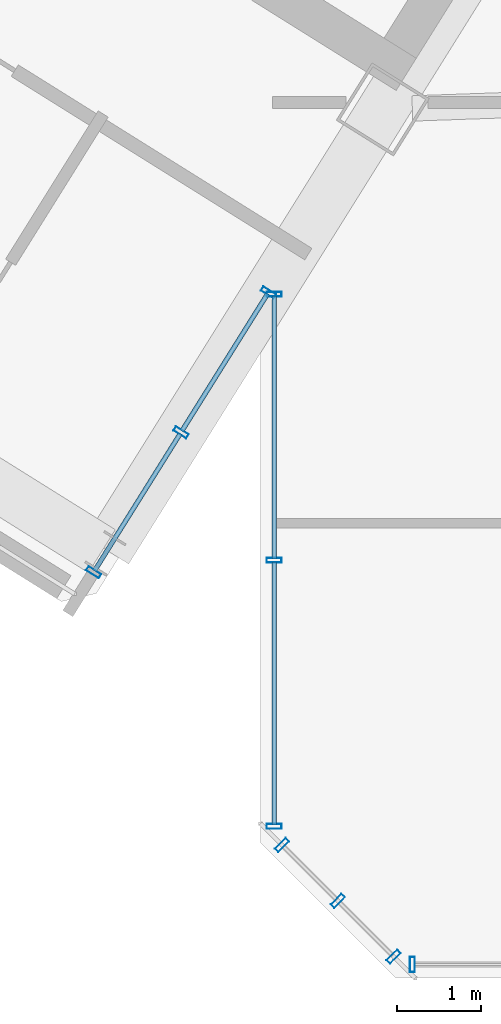
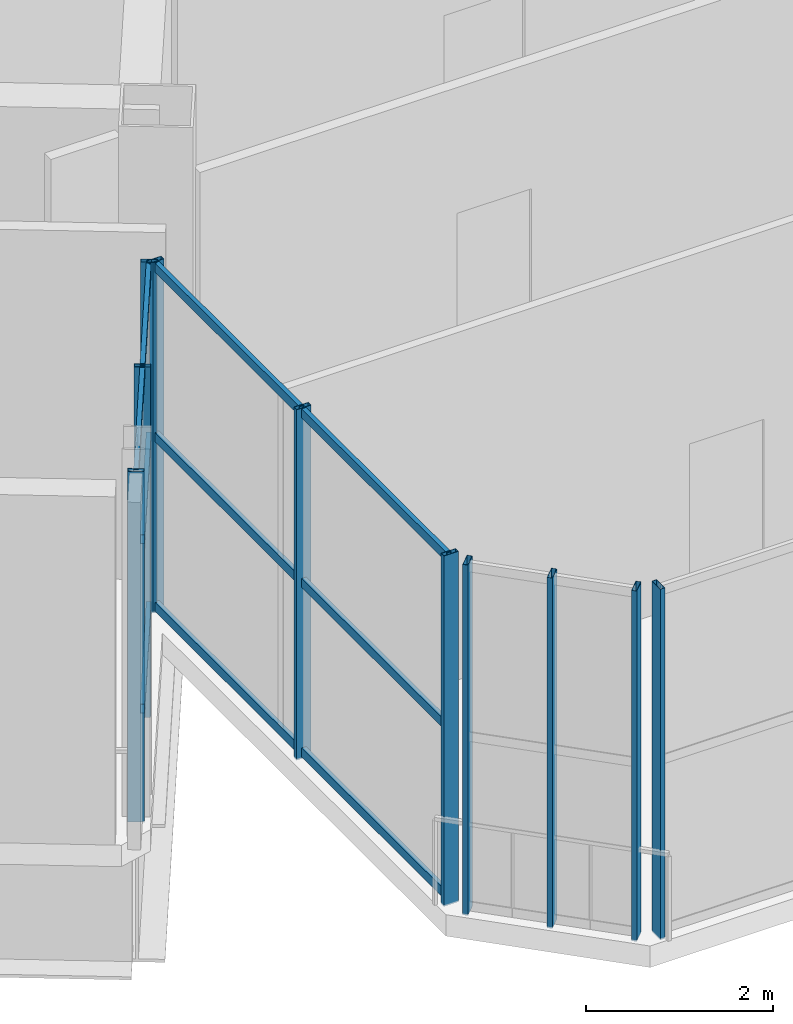
# One storey, part 6 of 26: 22 members, 4 elements without a shape of their own.
"""IFC4 building model written with IfcOpenShell, lengths in metres."""

from ifc_helpers import new_model, si_unit, direction, frame, origin, origin_2d, place, context, subcontext, project, spatial, hollow_rectangle, extrude, source, transform, mapped, material, material_profile, profile_set, type_object, element, aggregate, save


model = new_model("IFC4")

# Units and contexts
model_context = context("Model", 3, precision=1e-05, world=origin(), true_north=direction((0.0, 1.0)))
body_context = subcontext(model_context, "Body", "Model", "MODEL_VIEW")
ifc_project = project(units=[si_unit("LENGTHUNIT", "METRE"), si_unit("AREAUNIT", "SQUARE_METRE"), si_unit("VOLUMEUNIT", "CUBIC_METRE"), si_unit("PLANEANGLEUNIT", "RADIAN"), si_unit("MASSUNIT", "GRAM", prefix="KILO")], contexts=[model_context])

# Site, building, storey
site_placement = place(None, origin())
site = spatial("IfcSite", under=ifc_project, at=site_placement, CompositionType="ELEMENT")
building_placement = place(site_placement, origin())
building = spatial("IfcBuilding", under=site, at=building_placement, Name="Tlacorven Tower", CompositionType="ELEMENT")
storey_placement = place(building_placement, frame((0.0, 0.0, 233.699951171875)))
storey = spatial("IfcBuildingStorey", under=building, at=storey_placement, Name="L59", CompositionType="ELEMENT", Elevation=233.699951171875)

# Curtain wall, member
ifc_material_1 = material(Name="Dark solar low-E double glazing in aluminium frame", Category="aluminium")
curtain_wall_type = type_object("IfcCurtainWallType", Name="CW-TWR-HIGH", PredefinedType="USERDEFINED", material=ifc_material_1)
curtain_wall_1_placement = place(storey_placement, origin())
curtain_wall_1 = element("IfcCurtainWall", 1, at=curtain_wall_1_placement, inside=storey, type_object=curtain_wall_type, Name="L59 CW-TWR-HIGH Curtain Wall 267", ObjectType="UNITISED CURTAIN WALL", PredefinedType="USERDEFINED")
ifc_material_2 = material(Name="Aluminium 6063-T6 anodised", Category="aluminium")
ifc_material_profile_1 = material_profile(ifc_material_2, hollow_rectangle(XDim=0.06005859375, YDim=0.179931640625, WallThickness=0.00390625, at=origin_2d()), Name="ALU MULLION 60X180")
ifc_profile_set_1 = profile_set([ifc_material_profile_1], Name="Aluminium 6063-T6 anodised")
member_type_1 = type_object("IfcMemberType", Name="CWM-03", PredefinedType="MULLION", material=ifc_profile_set_1)
shared_shape_1 = source(origin(), body_context, "Body", "SweptSolid", [
    extrude(hollow_rectangle(XDim=0.06005859375, YDim=0.179931640625, WallThickness=0.00390625, at=origin_2d()), origin(), (0.0, 0.0, 1.0), 4.580078125),
])
member_1_placement = place(storey_placement, frame((33.396240234375, 1.9599609375, -0.02001953125), z_axis=(0.0, 0.0, 1.0), x_axis=(-1.0, 0.0, 0.0)))
member_1 = element("IfcMember", 2, at=member_1_placement, type_object=member_type_1, Name="CW-L59-267 Mullion 4", PredefinedType="MULLION", context=body_context, shape_type="MappedRepresentation", body=[
    mapped(shared_shape_1, transform((0.0, 0.0, 0.0), scale=1.0)),
])
aggregate(curtain_wall_1, [member_1])

# Curtain wall, members
curtain_wall_2_placement = place(storey_placement, origin())
curtain_wall_2 = element("IfcCurtainWall", 3, at=curtain_wall_2_placement, inside=storey, type_object=curtain_wall_type, Name="L59 CW-TWR-HIGH Curtain Wall 268", ObjectType="UNITISED CURTAIN WALL", PredefinedType="USERDEFINED")
member_2_placement = place(storey_placement, frame((33.17431640625, 2.052001953125, -0.02001953125), z_axis=(0.0, 0.0, 1.0), x_axis=(-0.707106781187, 0.707106781187, 0.0)))
member_2 = element("IfcMember", 4, at=member_2_placement, type_object=member_type_1, Name="CW-L59-268 Mullion 1", PredefinedType="MULLION", context=body_context, shape_type="MappedRepresentation", body=[
    mapped(shared_shape_1, transform((0.0, 0.0, 0.0), scale=1.0)),
])
member_3_placement = place(storey_placement, frame((32.51318359375, 2.713134765625, -0.02001953125), z_axis=(0.0, 0.0, 1.0), x_axis=(-0.707106781187, 0.707106781187, 0.0)))
member_3 = element("IfcMember", 5, at=member_3_placement, type_object=member_type_1, Name="CW-L59-268 Mullion 2", PredefinedType="MULLION", context=body_context, shape_type="MappedRepresentation", body=[
    mapped(shared_shape_1, transform((0.0, 0.0, 0.0), scale=1.0)),
])
member_4_placement = place(storey_placement, frame((31.851806640625, 3.374267578125, -0.02001953125), z_axis=(0.0, 0.0, 1.0), x_axis=(-0.707106781187, 0.707106781187, 0.0)))
member_4 = element("IfcMember", 6, at=member_4_placement, type_object=member_type_1, Name="CW-L59-268 Mullion 3", PredefinedType="MULLION", context=body_context, shape_type="MappedRepresentation", body=[
    mapped(shared_shape_1, transform((0.0, 0.0, 0.0), scale=1.0)),
])
aggregate(curtain_wall_2, [member_2, member_3, member_4])

curtain_wall_3_placement = place(storey_placement, origin())
curtain_wall_3 = element("IfcCurtainWall", 7, at=curtain_wall_3_placement, inside=storey, type_object=curtain_wall_type, Name="L59 CW-TWR-HIGH Curtain Wall 269", ObjectType="UNITISED CURTAIN WALL", PredefinedType="USERDEFINED")
member_5_placement = place(storey_placement, frame((31.760009765625, 3.59619140625, -0.02001953125), z_axis=(0.0, 0.0, 1.0), x_axis=(0.0, 1.0, 0.0)))
member_5 = element("IfcMember", 8, at=member_5_placement, type_object=member_type_1, Name="CW-L59-269 Mullion 1", PredefinedType="MULLION", context=body_context, shape_type="MappedRepresentation", body=[
    mapped(shared_shape_1, transform((0.0, 0.0, 0.0), scale=1.0)),
])
member_6_placement = place(storey_placement, frame((31.760009765625, 6.74755859375, -0.02001953125), z_axis=(0.0, 0.0, 1.0), x_axis=(0.0, 1.0, 0.0)))
member_6 = element("IfcMember", 9, at=member_6_placement, type_object=member_type_1, Name="CW-L59-269 Mullion 2", PredefinedType="MULLION", context=body_context, shape_type="MappedRepresentation", body=[
    mapped(shared_shape_1, transform((0.0, 0.0, 0.0), scale=1.0)),
])
member_7_placement = place(storey_placement, frame((31.760009765625, 9.898681640625, -0.02001953125), z_axis=(0.0, 0.0, 1.0), x_axis=(0.0, 1.0, 0.0)))
member_7 = element("IfcMember", 10, at=member_7_placement, type_object=member_type_1, Name="CW-L59-269 Mullion 3", PredefinedType="MULLION", context=body_context, shape_type="MappedRepresentation", body=[
    mapped(shared_shape_1, transform((0.0, 0.0, 0.0), scale=1.0)),
])

curtain_wall_4_placement = place(storey_placement, origin())
curtain_wall_4 = element("IfcCurtainWall", 11, at=curtain_wall_4_placement, inside=storey, type_object=curtain_wall_type, Name="L59 CW-TWR-HIGH Curtain Wall 270", ObjectType="UNITISED CURTAIN WALL", PredefinedType="USERDEFINED")
member_8_placement = place(storey_placement, frame((31.691162109375, 9.91845703125, -0.02001953125), z_axis=(0.0, 0.0, 1.0), x_axis=(-0.529918710919, -0.848048441905, 0.0)))
member_8 = element("IfcMember", 12, at=member_8_placement, type_object=member_type_1, Name="CW-L59-270 Mullion 1", PredefinedType="MULLION", context=body_context, shape_type="MappedRepresentation", body=[
    mapped(shared_shape_1, transform((0.0, 0.0, 0.0), scale=1.0)),
])
member_9_placement = place(storey_placement, frame((30.656005859375, 8.261962890625, -0.02001953125), z_axis=(0.0, 0.0, 1.0), x_axis=(-0.529918710919, -0.848048441905, 0.0)))
member_9 = element("IfcMember", 13, at=member_9_placement, type_object=member_type_1, Name="CW-L59-270 Mullion 2", PredefinedType="MULLION", context=body_context, shape_type="MappedRepresentation", body=[
    mapped(shared_shape_1, transform((0.0, 0.0, 0.0), scale=1.0)),
])
member_10_placement = place(storey_placement, frame((29.620849609375, 6.605224609375, -0.02001953125), z_axis=(0.0, 0.0, 1.0), x_axis=(-0.529918710919, -0.848048441905, 0.0)))
member_10 = element("IfcMember", 14, at=member_10_placement, type_object=member_type_1, Name="CW-L59-270 Mullion 3", PredefinedType="MULLION", context=body_context, shape_type="MappedRepresentation", body=[
    mapped(shared_shape_1, transform((0.0, 0.0, 0.0), scale=1.0)),
])

# Member
ifc_material_profile_2 = material_profile(ifc_material_2, hollow_rectangle(XDim=0.054931640625, YDim=0.1201171875, WallThickness=0.00341796875, at=origin_2d()), Name="ALU TRANSOM 55X120")
ifc_profile_set_2 = profile_set([ifc_material_profile_2], Name="Aluminium 6063-T6 anodised")
member_type_2 = type_object("IfcMemberType", Name="CWT-03", PredefinedType="USERDEFINED", material=ifc_profile_set_2)
shared_shape_2 = source(origin(), body_context, "Body", "SweptSolid", [
    extrude(hollow_rectangle(XDim=0.054931640625, YDim=0.1201171875, WallThickness=0.00341796875, at=origin_2d()), origin(), (0.0, 0.0, 1.0), 3.115234375),
])
member_11_placement = place(storey_placement, frame((31.760009765625, 3.6142578125, 0.06005859375), z_axis=(0.0, 1.0, 0.0), x_axis=(-1.0, 0.0, 0.0)))
member_11 = element("IfcMember", 15, at=member_11_placement, type_object=member_type_2, Name="CW-L59-269 Transom 1", ObjectType="TRANSOM", PredefinedType="USERDEFINED", context=body_context, shape_type="MappedRepresentation", body=[
    mapped(shared_shape_2, transform((0.0, 0.0, 0.0), scale=1.0)),
])

member_12_placement = place(storey_placement, frame((31.760009765625, 3.6142578125, 2.275146484375), z_axis=(0.0, 1.0, 0.0), x_axis=(-1.0, 0.0, 0.0)))
member_12 = element("IfcMember", 16, at=member_12_placement, type_object=member_type_2, Name="CW-L59-269 Transom 2", ObjectType="TRANSOM", PredefinedType="USERDEFINED", context=body_context, shape_type="MappedRepresentation", body=[
    mapped(shared_shape_2, transform((0.0, 0.0, 0.0), scale=1.0)),
])

member_13_placement = place(storey_placement, frame((31.760009765625, 3.6142578125, 4.489990234375), z_axis=(0.0, 1.0, 0.0), x_axis=(-1.0, 0.0, 0.0)))
member_13 = element("IfcMember", 17, at=member_13_placement, type_object=member_type_2, Name="CW-L59-269 Transom 3", ObjectType="TRANSOM", PredefinedType="USERDEFINED", context=body_context, shape_type="MappedRepresentation", body=[
    mapped(shared_shape_2, transform((0.0, 0.0, 0.0), scale=1.0)),
])

member_14_placement = place(storey_placement, frame((31.760009765625, 6.765380859375, 0.06005859375), z_axis=(0.0, 1.0, 0.0), x_axis=(-1.0, 0.0, 0.0)))
member_14 = element("IfcMember", 18, at=member_14_placement, type_object=member_type_2, Name="CW-L59-269 Transom 4", ObjectType="TRANSOM", PredefinedType="USERDEFINED", context=body_context, shape_type="MappedRepresentation", body=[
    mapped(shared_shape_2, transform((0.0, 0.0, 0.0), scale=1.0)),
])

member_15_placement = place(storey_placement, frame((31.760009765625, 6.765380859375, 2.275146484375), z_axis=(0.0, 1.0, 0.0), x_axis=(-1.0, 0.0, 0.0)))
member_15 = element("IfcMember", 19, at=member_15_placement, type_object=member_type_2, Name="CW-L59-269 Transom 5", ObjectType="TRANSOM", PredefinedType="USERDEFINED", context=body_context, shape_type="MappedRepresentation", body=[
    mapped(shared_shape_2, transform((0.0, 0.0, 0.0), scale=1.0)),
])

member_16_placement = place(storey_placement, frame((31.760009765625, 6.765380859375, 4.489990234375), z_axis=(0.0, 1.0, 0.0), x_axis=(-1.0, 0.0, 0.0)))
member_16 = element("IfcMember", 20, at=member_16_placement, type_object=member_type_2, Name="CW-L59-269 Transom 6", ObjectType="TRANSOM", PredefinedType="USERDEFINED", context=body_context, shape_type="MappedRepresentation", body=[
    mapped(shared_shape_2, transform((0.0, 0.0, 0.0), scale=1.0)),
])

aggregate(curtain_wall_3, [member_5, member_6, member_7, member_11, member_12, member_13, member_14, member_15, member_16])

shared_shape_3 = source(origin(), body_context, "Body", "SweptSolid", [
    extrude(hollow_rectangle(XDim=0.054931640625, YDim=0.1201171875, WallThickness=0.00341796875, at=origin_2d()), origin(), (0.0, 0.0, 1.0), 1.91748046875),
])
member_17_placement = place(storey_placement, frame((31.681640625, 9.903076171875, 0.06005859375), z_axis=(-0.529953157166, -0.84802691656, 0.0), x_axis=(0.84802691656, -0.529953157166, 0.0)))
member_17 = element("IfcMember", 21, at=member_17_placement, type_object=member_type_2, Name="CW-L59-270 Transom 1", ObjectType="TRANSOM", PredefinedType="USERDEFINED", context=body_context, shape_type="MappedRepresentation", body=[
    mapped(shared_shape_3, transform((0.0, 0.0, 0.0), scale=1.0)),
])

member_18_placement = place(storey_placement, frame((31.681640625, 9.903076171875, 2.275146484375), z_axis=(-0.529953157166, -0.84802691656, 0.0), x_axis=(0.84802691656, -0.529953157166, 0.0)))
member_18 = element("IfcMember", 22, at=member_18_placement, type_object=member_type_2, Name="CW-L59-270 Transom 2", ObjectType="TRANSOM", PredefinedType="USERDEFINED", context=body_context, shape_type="MappedRepresentation", body=[
    mapped(shared_shape_3, transform((0.0, 0.0, 0.0), scale=1.0)),
])

member_19_placement = place(storey_placement, frame((31.681640625, 9.903076171875, 4.489990234375), z_axis=(-0.529953157166, -0.84802691656, 0.0), x_axis=(0.84802691656, -0.529953157166, 0.0)))
member_19 = element("IfcMember", 23, at=member_19_placement, type_object=member_type_2, Name="CW-L59-270 Transom 3", ObjectType="TRANSOM", PredefinedType="USERDEFINED", context=body_context, shape_type="MappedRepresentation", body=[
    mapped(shared_shape_3, transform((0.0, 0.0, 0.0), scale=1.0)),
])

member_20_placement = place(storey_placement, frame((30.646484375, 8.24658203125, 0.06005859375), z_axis=(-0.529953157166, -0.84802691656, 0.0), x_axis=(0.84802691656, -0.529953157166, 0.0)))
member_20 = element("IfcMember", 24, at=member_20_placement, type_object=member_type_2, Name="CW-L59-270 Transom 4", ObjectType="TRANSOM", PredefinedType="USERDEFINED", context=body_context, shape_type="MappedRepresentation", body=[
    mapped(shared_shape_3, transform((0.0, 0.0, 0.0), scale=1.0)),
])

member_21_placement = place(storey_placement, frame((30.646484375, 8.24658203125, 2.275146484375), z_axis=(-0.529953157166, -0.84802691656, 0.0), x_axis=(0.84802691656, -0.529953157166, 0.0)))
member_21 = element("IfcMember", 25, at=member_21_placement, type_object=member_type_2, Name="CW-L59-270 Transom 5", ObjectType="TRANSOM", PredefinedType="USERDEFINED", context=body_context, shape_type="MappedRepresentation", body=[
    mapped(shared_shape_3, transform((0.0, 0.0, 0.0), scale=1.0)),
])

member_22_placement = place(storey_placement, frame((30.646484375, 8.24658203125, 4.489990234375), z_axis=(-0.529953157166, -0.84802691656, 0.0), x_axis=(0.84802691656, -0.529953157166, 0.0)))
member_22 = element("IfcMember", 26, at=member_22_placement, type_object=member_type_2, Name="CW-L59-270 Transom 6", ObjectType="TRANSOM", PredefinedType="USERDEFINED", context=body_context, shape_type="MappedRepresentation", body=[
    mapped(shared_shape_3, transform((0.0, 0.0, 0.0), scale=1.0)),
])

aggregate(curtain_wall_4, [member_8, member_9, member_10, member_17, member_18, member_19, member_20, member_21, member_22])

save(model, "model.ifc")
